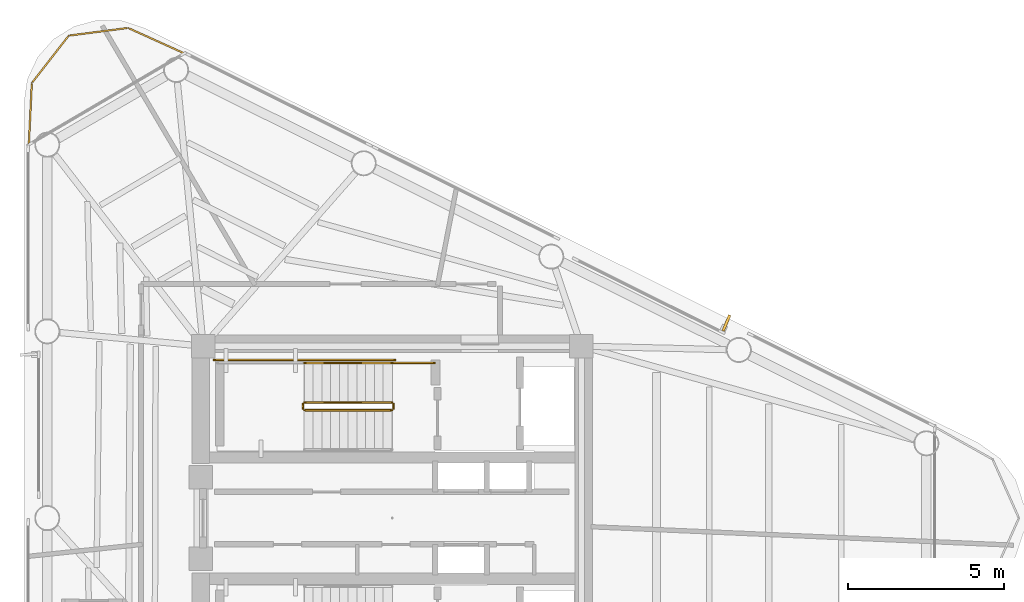
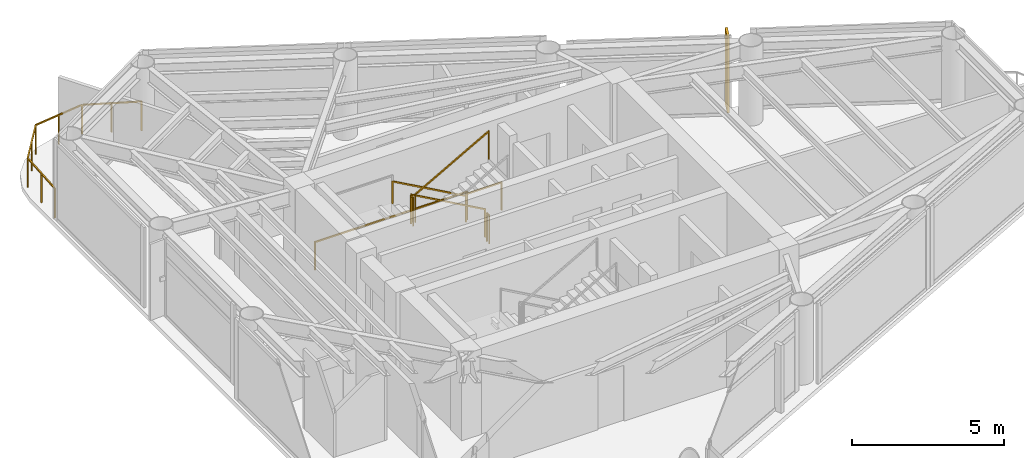
# One storey, part 10 of 10: 8 railings, 1 shading device.
"""IFC4 building model written with IfcOpenShell, lengths in metres."""

from ifc_helpers import new_model, si_unit, direction, frame, origin, origin_2d, place, context, subcontext, project, spatial, rectangle, extrude, source, transform, mapped, material, material_profile, profile_set, type_object, element, save


model = new_model("IFC4")

# Units and contexts
model_context = context("Model", 3, precision=1e-05, world=origin(), true_north=direction((0.0, 1.0)))
body_context = subcontext(model_context, "Body", "Model", "MODEL_VIEW")
ifc_project = project(units=[si_unit("LENGTHUNIT", "METRE"), si_unit("AREAUNIT", "SQUARE_METRE"), si_unit("VOLUMEUNIT", "CUBIC_METRE"), si_unit("PLANEANGLEUNIT", "RADIAN"), si_unit("MASSUNIT", "GRAM", prefix="KILO")], contexts=[model_context])

# Site, building, storey
site_placement = place(None, origin())
site = spatial("IfcSite", under=ifc_project, at=site_placement, CompositionType="ELEMENT")
building_placement = place(site_placement, origin())
building = spatial("IfcBuilding", under=site, at=building_placement, Name="Yunling Apex Tower", CompositionType="ELEMENT")
storey_placement = place(building_placement, frame((0.0, 0.0, 314.0)))
storey = spatial("IfcBuildingStorey", under=building, at=storey_placement, Name="L77", CompositionType="ELEMENT", Elevation=314.0)

# Railings
ifc_material_1 = material(Name="Bronze anodised aluminium", Category="aluminium")
railing_type_1 = type_object("IfcRailingType", Name="RL-BAL-1200", PredefinedType="BALUSTRADE", material=ifc_material_1)
railing_1_placement = place(storey_placement, frame((-11.627197265625, 11.9453125, 0.0)))
element("IfcRailing", 1, at=railing_1_placement, inside=storey, type_object=railing_type_1, Name="RL-CRNSILL-L77-2", PredefinedType="BALUSTRADE", context=body_context, shape_type="SweptSolid", body=[
    extrude(rectangle(XDim=0.0439453125, YDim=0.0439453125, at=origin_2d()), origin(), (0.0, 0.0, 1.0), 1.199951171875),
    extrude(rectangle(XDim=0.0439453125, YDim=0.0439453125, at=origin_2d()), frame((0.095947265625, 1.972412109375, 0.0)), (0.0, 0.0, 1.0), 1.199951171875),
    extrude(rectangle(XDim=0.050048828125, YDim=0.050048828125, at=origin_2d()), frame((0.001953125, 0.038330078125, 1.1748046875), z_axis=(0.048587182269, 0.998818945415, 0.0), x_axis=(-0.998818945415, 0.048587182269, 0.0)), (0.0, 0.0, 1.0), 1.898193359375),
    extrude(rectangle(XDim=0.0439453125, YDim=0.0439453125, at=origin_2d()), frame((0.0478515625, 0.986328125, 0.0)), (0.0, 0.0, 1.0), 1.14599609375),
    extrude(rectangle(XDim=0.0439453125, YDim=0.0439453125, at=origin_2d()), frame((1.27685546875, 3.48828125, 0.0)), (0.0, 0.0, 1.0), 1.199951171875),
    extrude(rectangle(XDim=0.050048828125, YDim=0.050048828125, at=origin_2d()), frame((0.119384765625, 2.002685546875, 1.1748046875), z_axis=(0.61455614591, 0.788873084548, 0.0), x_axis=(-0.788873084548, 0.61455614591, 0.0)), (0.0, 0.0, 1.0), 1.844970703125),
    extrude(rectangle(XDim=0.0439453125, YDim=0.0439453125, at=origin_2d()), frame((0.6865234375, 2.73046875, 0.0)), (0.0, 0.0, 1.0), 1.14599609375),
    extrude(rectangle(XDim=0.0439453125, YDim=0.0439453125, at=origin_2d()), frame((3.176513671875, 3.734375, 0.0)), (0.0, 0.0, 1.0), 1.199951171875),
    extrude(rectangle(XDim=0.050048828125, YDim=0.050048828125, at=origin_2d()), frame((1.31494140625, 3.4931640625, 1.1748046875), z_axis=(0.991713034877, 0.128472784881, 0.0), x_axis=(-0.128472784881, 0.991713034877, 0.0)), (0.0, 0.0, 1.0), 1.8388671875),
    extrude(rectangle(XDim=0.0439453125, YDim=0.0439453125, at=origin_2d()), frame((2.2265625, 3.611328125, 0.0)), (0.0, 0.0, 1.0), 1.14599609375),
    extrude(rectangle(XDim=0.0439453125, YDim=0.0439453125, at=origin_2d()), frame((4.97607421875, 2.919677734375, 0.0)), (0.0, 0.0, 1.0), 1.199951171875),
    extrude(rectangle(XDim=0.050048828125, YDim=0.050048828125, at=origin_2d()), frame((3.21142578125, 3.718505859375, 1.1748046875), z_axis=(0.910991856267, -0.412424341929, 0.0), x_axis=(0.412424341929, 0.910991856267, 0.0)), (0.0, 0.0, 1.0), 1.898681640625),
    extrude(rectangle(XDim=0.0439453125, YDim=0.0439453125, at=origin_2d()), frame((4.076171875, 3.3271484375, 0.0)), (0.0, 0.0, 1.0), 1.14599609375),
])
ifc_material_2 = material(Name="Steel Q355B", Category="steel")
railing_type_2 = type_object("IfcRailingType", Name="RL-GRD-1150", PredefinedType="GUARDRAIL", material=ifc_material_2)
railing_2_placement = place(storey_placement, frame((-0.010009765625, 3.699951171875, 0.15673828125)))
element("IfcRailing", 2, at=railing_2_placement, inside=storey, type_object=railing_type_2, Name="L77 ST-1 stair guard 1", PredefinedType="GUARDRAIL", context=body_context, shape_type="SweptSolid", body=[
    extrude(rectangle(XDim=0.0439453125, YDim=0.0439453125, at=origin_2d()), origin(), (0.0, 0.0, 1.0), 1.14990234375),
    extrude(rectangle(XDim=0.0439453125, YDim=0.0439453125, at=origin_2d()), frame((-2.800048828125, 0.0, 1.568359375)), (0.0, 0.0, 1.0), 1.14990234375),
    extrude(rectangle(XDim=0.050048828125, YDim=0.050048828125, at=origin_2d()), frame((-0.033447265625, 0.0, 1.1435546875), z_axis=(-0.872461907711, 0.0, 0.488682125306), x_axis=(0.0, -1.0, 0.0)), (0.0, 0.0, 1.0), 3.1328125),
])
railing_3_placement = place(storey_placement, frame((-2.860107421875, 3.64990234375, 1.72509765625)))
element("IfcRailing", 3, at=railing_3_placement, inside=storey, type_object=railing_type_2, Name="L77 ST-1 stair guard 2", PredefinedType="GUARDRAIL", context=body_context, shape_type="SweptSolid", body=[
    extrude(rectangle(XDim=0.0439453125, YDim=0.0439453125, at=origin_2d()), origin(), (0.0, 0.0, 1.0), 1.14990234375),
    extrude(rectangle(XDim=0.0439453125, YDim=0.0439453125, at=origin_2d()), frame((0.0, -0.14990234375, 0.0)), (0.0, 0.0, 1.0), 1.14990234375),
    extrude(rectangle(XDim=0.050048828125, YDim=0.050048828125, at=origin_2d()), frame((0.0, -0.038330078125, 1.125), z_axis=(0.0, -1.0, 0.0), x_axis=(1.0, 0.0, 0.0)), (0.0, 0.0, 1.0), 0.0732421875),
])
railing_4_placement = place(storey_placement, frame((-2.81005859375, 3.449951171875, 1.8818359375)))
element("IfcRailing", 4, at=railing_4_placement, inside=storey, type_object=railing_type_2, Name="L77 ST-1 stair guard 4", PredefinedType="GUARDRAIL", context=body_context, shape_type="SweptSolid", body=[
    extrude(rectangle(XDim=0.0439453125, YDim=0.0439453125, at=origin_2d()), origin(), (0.0, 0.0, 1.0), 1.14990234375),
    extrude(rectangle(XDim=0.0439453125, YDim=0.0439453125, at=origin_2d()), frame((2.800048828125, 0.0, 1.568115234375)), (0.0, 0.0, 1.0), 1.14990234375),
    extrude(rectangle(XDim=0.050048828125, YDim=0.050048828125, at=origin_2d()), frame((0.033447265625, 0.0, 1.1435546875), z_axis=(0.872494340497, 0.0, 0.48862421737), x_axis=(0.0, 1.0, 0.0)), (0.0, 0.0, 1.0), 3.132568359375),
])
railing_5_placement = place(storey_placement, frame((0.0400390625, 3.64990234375, 0.0)))
element("IfcRailing", 5, at=railing_5_placement, inside=storey, type_object=railing_type_2, Name="L77 ST-1 stair guard 5", PredefinedType="GUARDRAIL", context=body_context, shape_type="SweptSolid", body=[
    extrude(rectangle(XDim=0.0439453125, YDim=0.0439453125, at=origin_2d()), origin(), (0.0, 0.0, 1.0), 1.14990234375),
    extrude(rectangle(XDim=0.0439453125, YDim=0.0439453125, at=origin_2d()), frame((0.0, -0.14990234375, 0.0)), (0.0, 0.0, 1.0), 1.14990234375),
    extrude(rectangle(XDim=0.050048828125, YDim=0.050048828125, at=origin_2d()), frame((0.0, -0.038330078125, 1.125), z_axis=(0.0, -1.0, 0.0), x_axis=(1.0, 0.0, 0.0)), (0.0, 0.0, 1.0), 0.0732421875),
])
railing_6_placement = place(storey_placement, frame((1.35009765625, 4.9599609375, 0.0)))
element("IfcRailing", 6, at=railing_6_placement, inside=storey, type_object=railing_type_2, Name="L77 ST-1 stair guard 6", PredefinedType="GUARDRAIL", context=body_context, shape_type="SweptSolid", body=[
    extrude(rectangle(XDim=0.0439453125, YDim=0.0439453125, at=origin_2d()), origin(), (0.0, 0.0, 1.0), 1.14990234375),
    extrude(rectangle(XDim=0.0439453125, YDim=0.0439453125, at=origin_2d()), frame((-1.360107421875, 0.0, 0.0)), (0.0, 0.0, 1.0), 1.14990234375),
    extrude(rectangle(XDim=0.050048828125, YDim=0.050048828125, at=origin_2d()), frame((-0.038330078125, 0.0, 1.125), z_axis=(-1.0, 0.0, 0.0), x_axis=(0.0, -1.0, 0.0)), (0.0, 0.0, 1.0), 1.283447265625),
])
railing_7_placement = place(storey_placement, frame((0.090087890625, 5.06005859375, 0.0)))
element("IfcRailing", 7, at=railing_7_placement, inside=storey, type_object=railing_type_2, Name="L77 ST-1 stair guard 7", PredefinedType="GUARDRAIL", context=body_context, shape_type="SweptSolid", body=[
    extrude(rectangle(XDim=0.0439453125, YDim=0.0439453125, at=origin_2d()), origin(), (0.0, 0.0, 1.0), 1.14990234375),
    extrude(rectangle(XDim=0.0439453125, YDim=0.0439453125, at=origin_2d()), frame((-5.7900390625, 0.0, 0.0)), (0.0, 0.0, 1.0), 1.14990234375),
    extrude(rectangle(XDim=0.050048828125, YDim=0.050048828125, at=origin_2d()), frame((-0.038330078125, 0.0, 1.125), z_axis=(-1.0, 0.0, 0.0), x_axis=(0.0, -1.0, 0.0)), (0.0, 0.0, 1.0), 5.71337890625),
])
ifc_material_3 = material(Name="Silver anodised aluminium", Category="aluminium")
railing_type_3 = type_object("IfcRailingType", Name="RL-HND-900", PredefinedType="HANDRAIL", material=ifc_material_3)
railing_8_placement = place(storey_placement, frame((-0.010009765625, 4.9599609375, 0.15673828125)))
element("IfcRailing", 8, at=railing_8_placement, inside=storey, type_object=railing_type_3, Name="L77 ST-1 stair handrail 1", PredefinedType="HANDRAIL", context=body_context, shape_type="SweptSolid", body=[
    extrude(rectangle(XDim=0.0439453125, YDim=0.0439453125, at=origin_2d()), origin(), (0.0, 0.0, 1.0), 0.919921875),
    extrude(rectangle(XDim=0.0439453125, YDim=0.0439453125, at=origin_2d()), frame((-2.800048828125, 0.0, 1.568359375)), (0.0, 0.0, 1.0), 0.919921875),
    extrude(rectangle(XDim=0.050048828125, YDim=0.050048828125, at=origin_2d()), frame((-0.033447265625, 0.0, 0.91357421875), z_axis=(-0.872461907711, 0.0, 0.488682125306), x_axis=(0.0, -1.0, 0.0)), (0.0, 0.0, 1.0), 3.1328125),
])

# Shading device
ifc_material_profile = material_profile(ifc_material_1, rectangle(XDim=0.0849609375, YDim=0.550048828125, at=origin_2d()))
ifc_profile_set = profile_set([ifc_material_profile], Name="Bronze anodised aluminium")
shading_device_type = type_object("IfcShadingDeviceType", Name="FN-BRZ-3", PredefinedType="USERDEFINED", material=ifc_profile_set)
shared_shape = source(origin(), body_context, "Body", "SweptSolid", [
    extrude(rectangle(XDim=0.0849609375, YDim=0.550048828125, at=origin_2d()), origin(), (0.0, 0.0, 1.0), 3.070068359375),
])
shading_device_placement = place(storey_placement, frame((10.689208984375, 6.240234375, 0.06005859375), z_axis=(0.0, 0.0, 1.0), x_axis=(-0.922470722095, 0.386067049717, 0.0)))
element("IfcShadingDevice", 9, at=shading_device_placement, inside=storey, type_object=shading_device_type, Name="CW-L77-F2-B2-FIN-01", ObjectType="FIN", PredefinedType="USERDEFINED", context=body_context, shape_type="MappedRepresentation", body=[
    mapped(shared_shape, transform((0.0, 0.0, 0.0), scale=1.0)),
])

save(model, "model.ifc")
